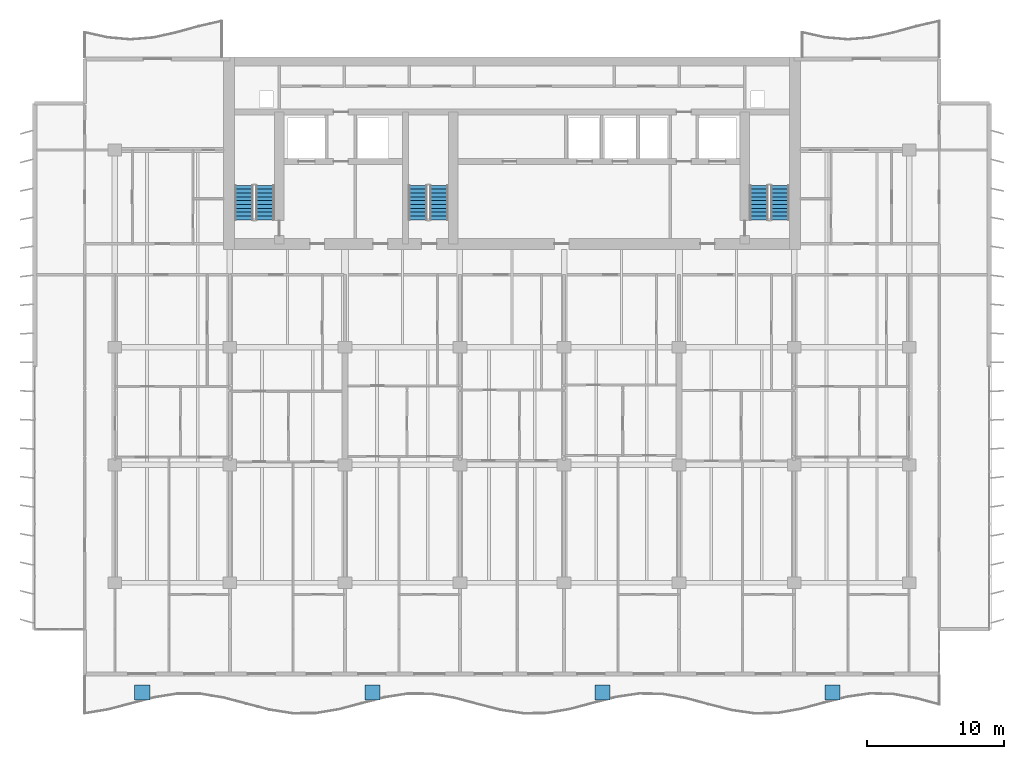
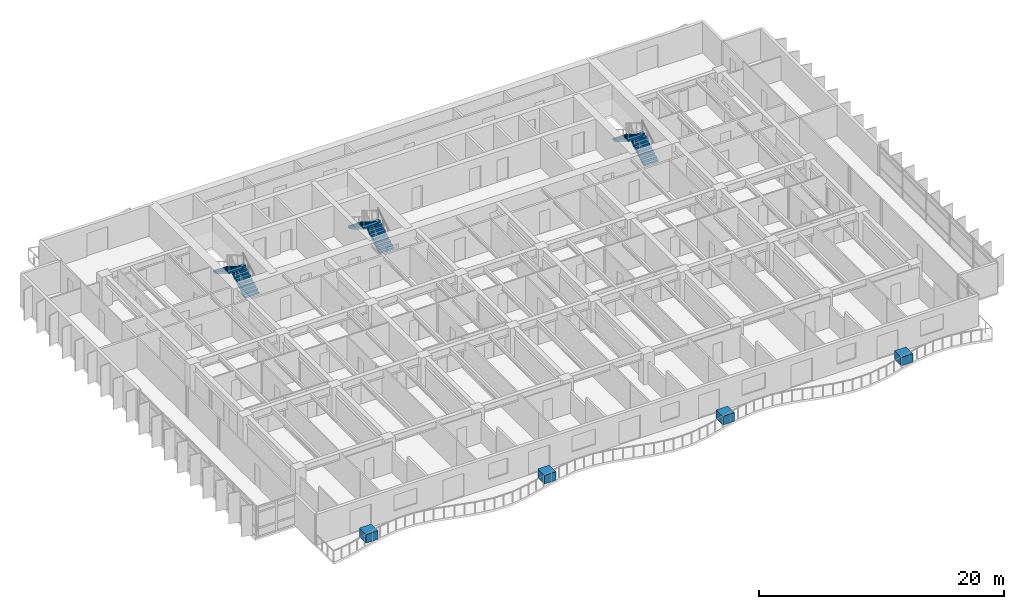
# One storey, part 14 of 18: 6 stair flights, 4 discrete accessories, 3 elements without a shape of their own.
"""IFC4 building model written with IfcOpenShell, lengths in metres."""

from ifc_helpers import new_model, si_unit, direction, frame, origin, origin_2d, place, context, subcontext, project, spatial, polyline, rectangle, outline, extrude, material, type_object, element, aggregate, save


model = new_model("IFC4")

# Units and contexts
model_context = context("Model", 3, precision=1e-05, world=origin(), true_north=direction((0.0, 1.0)))
body_context = subcontext(model_context, "Body", "Model", "MODEL_VIEW")
ifc_project = project(units=[si_unit("LENGTHUNIT", "METRE"), si_unit("AREAUNIT", "SQUARE_METRE"), si_unit("VOLUMEUNIT", "CUBIC_METRE"), si_unit("PLANEANGLEUNIT", "RADIAN"), si_unit("MASSUNIT", "GRAM", prefix="KILO")], contexts=[model_context])

# Site, building, storey
site_placement = place(None, origin())
site = spatial("IfcSite", under=ifc_project, at=site_placement, CompositionType="ELEMENT")
building_placement = place(site_placement, origin())
building = spatial("IfcBuilding", under=site, at=building_placement, Name="Caelmar Bay Residences", CompositionType="ELEMENT")
storey_placement = place(building_placement, frame((0.0, 0.0, 125.699951171875)))
storey = spatial("IfcBuildingStorey", under=building, at=storey_placement, Name="L34", CompositionType="ELEMENT", Elevation=125.699951171875)

# Stair, stair flights
ifc_material_1 = material(Name="Concrete f'c 40 MPa (6,000 psi)", Category="concrete")
stair_type = type_object("IfcStairType", Name="ST-TYP-165", PredefinedType="HALF_TURN_STAIR", material=ifc_material_1)
stair_1_placement = place(storey_placement, origin())
stair_1 = element("IfcStair", 1, at=stair_1_placement, inside=storey, type_object=stair_type, Name="L34 West Smokeproof Exit Stair ST1", PredefinedType="HALF_TURN_STAIR")
stair_flight_type = type_object("IfcStairFlightType", Name="STF-1350", PredefinedType="STRAIGHT", material=ifc_material_1)
stair_flight_1_placement = place(storey_placement, frame((20.875, 38.699951171875, 0.0), z_axis=(0.0, 0.0, 1.0), x_axis=(0.0, 1.0, 0.0)))
stair_flight_1 = element("IfcStairFlight", 2, at=stair_flight_1_placement, type_object=stair_flight_type, Name="ST1 flight 1", NumberOfRisers=10, NumberOfTreads=9, PredefinedType="STRAIGHT", RiserHeight=0.165, TreadLength=0.28, context=body_context, shape_type="SweptSolid", body=[
    extrude(outline(polyline([(0.0, 0.0), (0.0, 0.1650390625), (0.280029296875, 0.1650390625), (0.280029296875, 0.330078125), (0.56005859375, 0.330078125), (0.56005859375, 0.4951171875), (0.840087890625, 0.4951171875), (0.840087890625, 0.659912109375), (1.1201171875, 0.659912109375), (1.1201171875, 0.824951171875), (1.39990234375, 0.824951171875), (1.39990234375, 0.989990234375), (1.679931640625, 0.989990234375), (1.679931640625, 1.155029296875), (1.9599609375, 1.155029296875), (1.9599609375, 1.320068359375), (2.239990234375, 1.320068359375), (2.239990234375, 1.485107421875), (2.52001953125, 1.485107421875), (2.52001953125, 1.64990234375), (2.52001953125, 1.31103515625), (0.295166015625, 0.0), (0.0, 0.0)])), frame((0.0, 0.675048828125, 0.0), z_axis=(0.0, -1.0, 0.0), x_axis=(1.0, 0.0, 0.0)), (0.0, 0.0, 1.0), 1.35009765625),
])
stair_flight_2_placement = place(storey_placement, frame((19.324951171875, 41.219970703125, 1.650146484375), z_axis=(0.0, 0.0, 1.0), x_axis=(0.0, -1.0, 0.0)))
stair_flight_2 = element("IfcStairFlight", 3, at=stair_flight_2_placement, type_object=stair_flight_type, Name="ST1 flight 2", NumberOfRisers=10, NumberOfTreads=9, PredefinedType="STRAIGHT", RiserHeight=0.165, TreadLength=0.28, context=body_context, shape_type="SweptSolid", body=[
    extrude(outline(polyline([(0.0, 0.0), (0.0, 0.1650390625), (0.280029296875, 0.1650390625), (0.280029296875, 0.330078125), (0.56005859375, 0.330078125), (0.56005859375, 0.4951171875), (0.840087890625, 0.4951171875), (0.840087890625, 0.659912109375), (1.1201171875, 0.659912109375), (1.1201171875, 0.824951171875), (1.39990234375, 0.824951171875), (1.39990234375, 0.989990234375), (1.679931640625, 0.989990234375), (1.679931640625, 1.155029296875), (1.9599609375, 1.155029296875), (1.9599609375, 1.320068359375), (2.239990234375, 1.320068359375), (2.239990234375, 1.485107421875), (2.52001953125, 1.485107421875), (2.52001953125, 1.64990234375), (2.52001953125, 1.31103515625), (0.295166015625, 0.0), (0.0, 0.0)])), frame((0.0, 0.675048828125, 0.0), z_axis=(0.0, -1.0, 0.0), x_axis=(1.0, 0.0, 0.0)), (0.0, 0.0, 1.0), 1.35009765625),
])
aggregate(stair_1, [stair_flight_1, stair_flight_2])

stair_2_placement = place(storey_placement, origin())
stair_2 = element("IfcStair", 4, at=stair_2_placement, inside=storey, type_object=stair_type, Name="L34 East Smokeproof Exit Stair ST2", PredefinedType="HALF_TURN_STAIR")
stair_flight_3_placement = place(storey_placement, frame((58.47509765625, 38.699951171875, 0.0), z_axis=(0.0, 0.0, 1.0), x_axis=(0.0, 1.0, 0.0)))
stair_flight_3 = element("IfcStairFlight", 5, at=stair_flight_3_placement, type_object=stair_flight_type, Name="ST2 flight 1", NumberOfRisers=10, NumberOfTreads=9, PredefinedType="STRAIGHT", RiserHeight=0.165, TreadLength=0.28, context=body_context, shape_type="SweptSolid", body=[
    extrude(outline(polyline([(0.0, 0.0), (0.0, 0.1650390625), (0.280029296875, 0.1650390625), (0.280029296875, 0.330078125), (0.56005859375, 0.330078125), (0.56005859375, 0.4951171875), (0.840087890625, 0.4951171875), (0.840087890625, 0.659912109375), (1.1201171875, 0.659912109375), (1.1201171875, 0.824951171875), (1.39990234375, 0.824951171875), (1.39990234375, 0.989990234375), (1.679931640625, 0.989990234375), (1.679931640625, 1.155029296875), (1.9599609375, 1.155029296875), (1.9599609375, 1.320068359375), (2.239990234375, 1.320068359375), (2.239990234375, 1.485107421875), (2.52001953125, 1.485107421875), (2.52001953125, 1.64990234375), (2.52001953125, 1.31103515625), (0.295166015625, 0.0), (0.0, 0.0)])), frame((0.0, 0.675048828125, 0.0), z_axis=(0.0, -1.0, 0.0), x_axis=(1.0, 0.0, 0.0)), (0.0, 0.0, 1.0), 1.35009765625),
])
stair_flight_4_placement = place(storey_placement, frame((56.925048828125, 41.219970703125, 1.650146484375), z_axis=(0.0, 0.0, 1.0), x_axis=(0.0, -1.0, 0.0)))
stair_flight_4 = element("IfcStairFlight", 6, at=stair_flight_4_placement, type_object=stair_flight_type, Name="ST2 flight 2", NumberOfRisers=10, NumberOfTreads=9, PredefinedType="STRAIGHT", RiserHeight=0.165, TreadLength=0.28, context=body_context, shape_type="SweptSolid", body=[
    extrude(outline(polyline([(0.0, 0.0), (0.0, 0.1650390625), (0.280029296875, 0.1650390625), (0.280029296875, 0.330078125), (0.56005859375, 0.330078125), (0.56005859375, 0.4951171875), (0.840087890625, 0.4951171875), (0.840087890625, 0.659912109375), (1.1201171875, 0.659912109375), (1.1201171875, 0.824951171875), (1.39990234375, 0.824951171875), (1.39990234375, 0.989990234375), (1.679931640625, 0.989990234375), (1.679931640625, 1.155029296875), (1.9599609375, 1.155029296875), (1.9599609375, 1.320068359375), (2.239990234375, 1.320068359375), (2.239990234375, 1.485107421875), (2.52001953125, 1.485107421875), (2.52001953125, 1.64990234375), (2.52001953125, 1.31103515625), (0.295166015625, 0.0), (0.0, 0.0)])), frame((0.0, 0.675048828125, 0.0), z_axis=(0.0, -1.0, 0.0), x_axis=(1.0, 0.0, 0.0)), (0.0, 0.0, 1.0), 1.35009765625),
])
aggregate(stair_2, [stair_flight_3, stair_flight_4])

stair_3_placement = place(storey_placement, origin())
stair_3 = element("IfcStair", 7, at=stair_3_placement, inside=storey, type_object=stair_type, Name="L34 Central Smokeproof Exit Stair ST3", PredefinedType="HALF_TURN_STAIR")
stair_flight_5_placement = place(storey_placement, frame((33.574951171875, 38.699951171875, 0.0), z_axis=(0.0, 0.0, 1.0), x_axis=(0.0, 1.0, 0.0)))
stair_flight_5 = element("IfcStairFlight", 8, at=stair_flight_5_placement, type_object=stair_flight_type, Name="ST3 flight 1", NumberOfRisers=10, NumberOfTreads=9, PredefinedType="STRAIGHT", RiserHeight=0.165, TreadLength=0.28, context=body_context, shape_type="SweptSolid", body=[
    extrude(outline(polyline([(0.0, 0.0), (0.0, 0.1650390625), (0.280029296875, 0.1650390625), (0.280029296875, 0.330078125), (0.56005859375, 0.330078125), (0.56005859375, 0.4951171875), (0.840087890625, 0.4951171875), (0.840087890625, 0.659912109375), (1.1201171875, 0.659912109375), (1.1201171875, 0.824951171875), (1.39990234375, 0.824951171875), (1.39990234375, 0.989990234375), (1.679931640625, 0.989990234375), (1.679931640625, 1.155029296875), (1.9599609375, 1.155029296875), (1.9599609375, 1.320068359375), (2.239990234375, 1.320068359375), (2.239990234375, 1.485107421875), (2.52001953125, 1.485107421875), (2.52001953125, 1.64990234375), (2.52001953125, 1.31103515625), (0.295166015625, 0.0), (0.0, 0.0)])), frame((0.0, 0.675048828125, 0.0), z_axis=(0.0, -1.0, 0.0), x_axis=(1.0, 0.0, 0.0)), (0.0, 0.0, 1.0), 1.35009765625),
])
stair_flight_6_placement = place(storey_placement, frame((32.02490234375, 41.219970703125, 1.650146484375), z_axis=(0.0, 0.0, 1.0), x_axis=(0.0, -1.0, 0.0)))
stair_flight_6 = element("IfcStairFlight", 9, at=stair_flight_6_placement, type_object=stair_flight_type, Name="ST3 flight 2", NumberOfRisers=10, NumberOfTreads=9, PredefinedType="STRAIGHT", RiserHeight=0.165, TreadLength=0.28, context=body_context, shape_type="SweptSolid", body=[
    extrude(outline(polyline([(0.0, 0.0), (0.0, 0.1650390625), (0.280029296875, 0.1650390625), (0.280029296875, 0.330078125), (0.56005859375, 0.330078125), (0.56005859375, 0.4951171875), (0.840087890625, 0.4951171875), (0.840087890625, 0.659912109375), (1.1201171875, 0.659912109375), (1.1201171875, 0.824951171875), (1.39990234375, 0.824951171875), (1.39990234375, 0.989990234375), (1.679931640625, 0.989990234375), (1.679931640625, 1.155029296875), (1.9599609375, 1.155029296875), (1.9599609375, 1.320068359375), (2.239990234375, 1.320068359375), (2.239990234375, 1.485107421875), (2.52001953125, 1.485107421875), (2.52001953125, 1.64990234375), (2.52001953125, 1.31103515625), (0.295166015625, 0.0), (0.0, 0.0)])), frame((0.0, 0.675048828125, 0.0), z_axis=(0.0, -1.0, 0.0), x_axis=(1.0, 0.0, 0.0)), (0.0, 0.0, 1.0), 1.35009765625),
])
aggregate(stair_3, [stair_flight_5, stair_flight_6])

# Discrete accessories
ifc_material_2 = material(Name="Architectural bronze GRC planter trough with volcanic-lapilli substrate")
discrete_accessory_type = type_object("IfcDiscreteAccessoryType", Name="ACC-PLANTER-1100", PredefinedType="USERDEFINED", material=ifc_material_2)
for number, where, z_axis, x_axis, name in (
    (10, (11.89990234375, 4.181884765625, 0.0), (0.0, 0.0, 1.0), (1.0, 0.0, 0.0), "L34 Balcony Structural Tree Planter 1"),
    (11, (28.699951171875, 4.181884765625, 0.0), (0.0, 0.0, 1.0), (1.0, 0.0, 0.0), "L34 Balcony Structural Tree Planter 2"),
    (12, (45.5, 4.181884765625, 0.0), (0.0, 0.0, 1.0), (1.0, 0.0, 0.0), "L34 Balcony Structural Tree Planter 3"),
    (13, (62.300048828125, 4.181884765625, 0.0), (0.0, 0.0, 1.0), (1.0, 0.0, 0.0), "L34 Balcony Structural Tree Planter 4"),
):
    element("IfcDiscreteAccessory", number, at=place(storey_placement, frame(where, z_axis=z_axis, x_axis=x_axis)), inside=storey, type_object=discrete_accessory_type, Name=name, ObjectType="PLANTER", PredefinedType="USERDEFINED", context=body_context, shape_type="SweptSolid", body=[
        extrude(rectangle(XDim=1.10009765625, YDim=1.10009765625, at=origin_2d()), origin(), (0.0, 0.0, 1.0), 0.85009765625),
    ])

save(model, "model.ifc")
